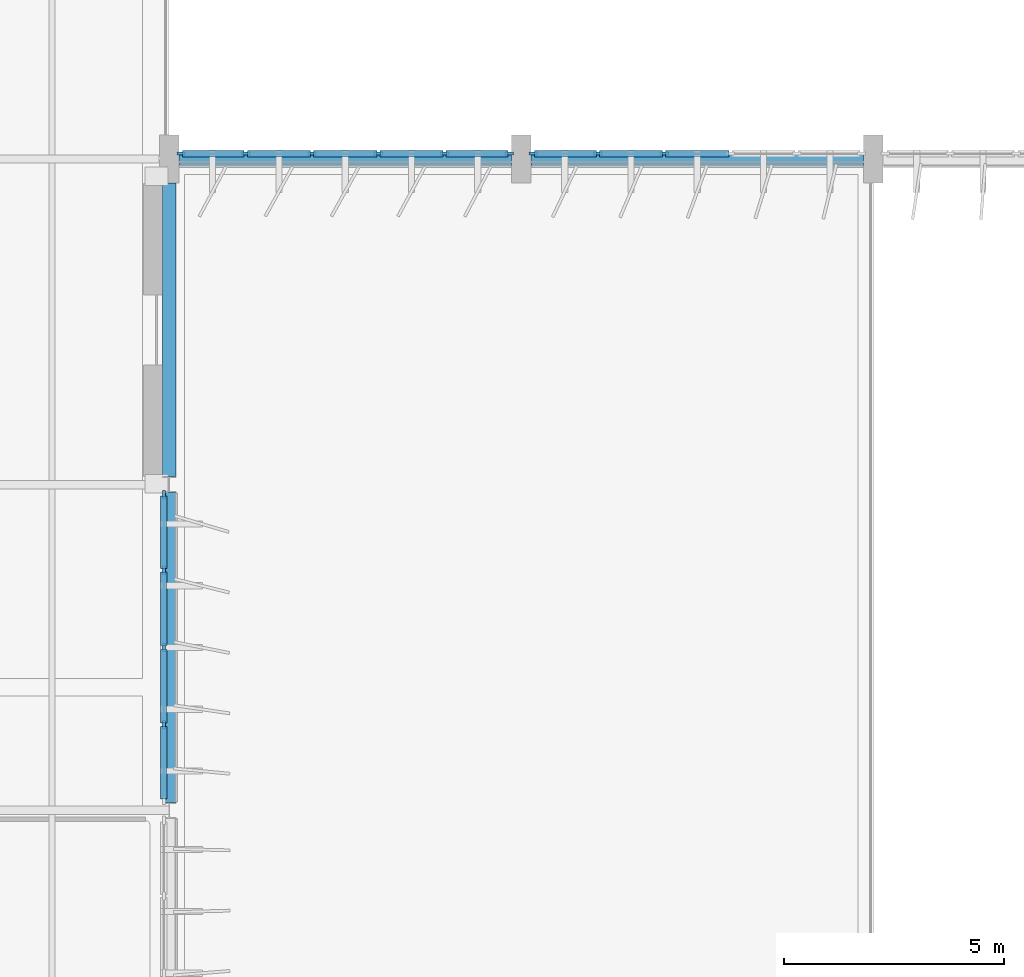
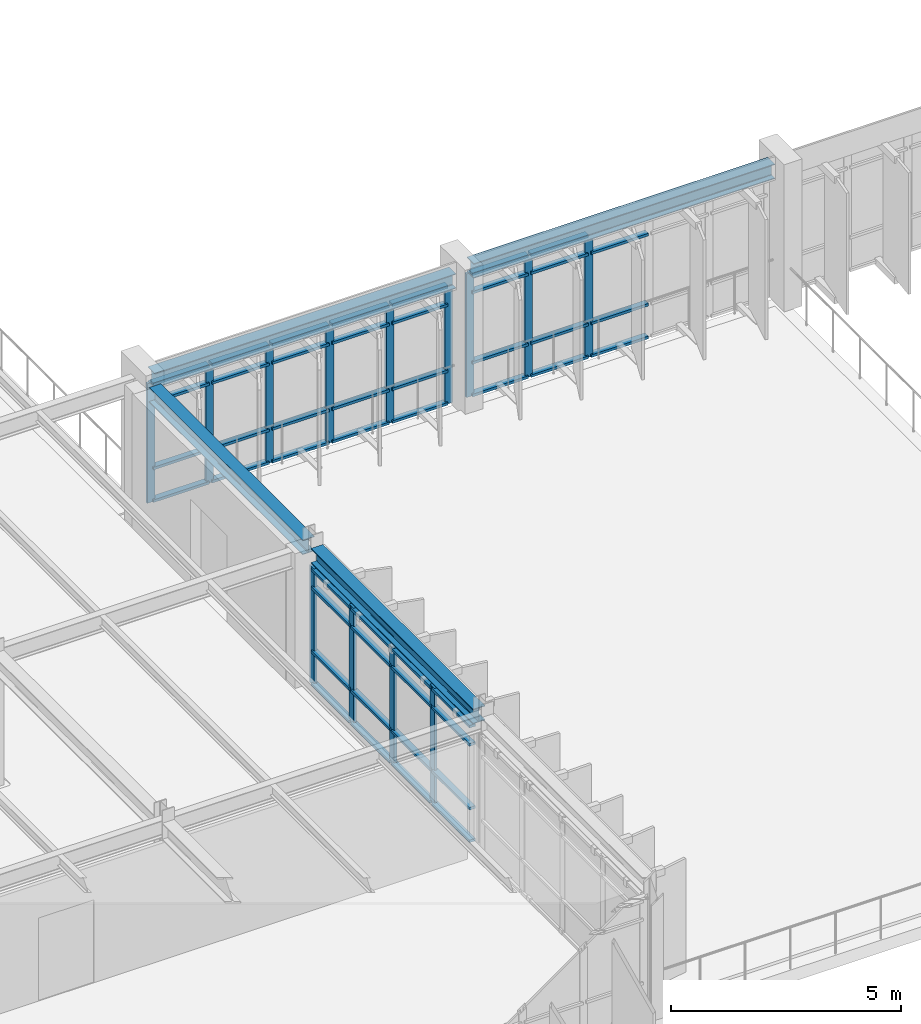
# One storey, part 18 of 45: 60 members, 4 beams, 3 elements without a shape of their own.
"""IFC4 building model written with IfcOpenShell, lengths in metres."""

import ifcopenshell
import ifcopenshell.guid

model = None  # the IFC model being written
_history = None  # IfcOwnerHistory: only IFC2X3 demands one
_inside = {}  # id of a spatial element -> (the spatial element, [elements in it])
_under = {}  # id of a project, library or spatial element -> (it, [spatial elements below it])
_declared = {}  # id of a project -> (the project, [libraries it declares])
_typed = {}  # id of a type object -> (the type object, [elements of that type])
_made_of = {}  # id of a material, layer set ... -> (it, [elements and type objects made of it])


def new_model(schema):
    """Start an empty IFC model of exactly this schema.

    Asked for "IFC4X3", IfcOpenShell would pick the latest addendum, in which some entities
    have other attributes; the version numbers below select the first issue.
    IFC2X3 requires an IfcOwnerHistory on every rooted entity: one is made here for all.
    """
    global model, _history
    if schema == "IFC4X3":
        model = ifcopenshell.file(schema_version=(4, 3, 0, 0))
    else:
        model = ifcopenshell.file(schema=schema)
    _inside.clear()
    _under.clear()
    _declared.clear()
    _typed.clear()
    _made_of.clear()
    _history = None
    if model.schema == "IFC2X3":
        org = make("IfcOrganization", Name="unknown")
        user = make(
            "IfcPersonAndOrganization",
            ThePerson=make("IfcPerson", FamilyName="unknown"),
            TheOrganization=org,
        )
        app = make(
            "IfcApplication",
            ApplicationDeveloper=org,
            Version="unknown",
            ApplicationFullName="unknown",
            ApplicationIdentifier="unknown",
        )
        _history = make(
            "IfcOwnerHistory",
            OwningUser=user,
            OwningApplication=app,
            ChangeAction="ADDED",
            CreationDate=0,
        )
    return model


def make(cls, **values):
    """One entity of the class cls with the attributes given. An attribute that is None is left unset."""
    return model.create_entity(
        cls, **{name: value for name, value in values.items() if value is not None}
    )


def rooted(cls, **values):
    """An entity with a GlobalId (a new one), such as an element, a storey or a relation."""
    return make(cls, GlobalId=ifcopenshell.guid.new(), OwnerHistory=_history, **values)


def si_unit(unit_type, name, prefix=None):
    """IfcSIUnit, for example si_unit("LENGTHUNIT", "METRE", prefix="MILLI")."""
    return make("IfcSIUnit", UnitType=unit_type, Prefix=prefix, Name=name)


def assignment(units):
    """IfcUnitAssignment: the units of a project."""
    return None if units is None else make("IfcUnitAssignment", Units=units)


def point(xyz):
    """IfcCartesianPoint."""
    return None if xyz is None else make("IfcCartesianPoint", Coordinates=xyz)


def direction(xyz):
    """IfcDirection."""
    return None if xyz is None else make("IfcDirection", DirectionRatios=xyz)


def frame(location, z_axis=None, x_axis=None):
    """IfcAxis2Placement3D, a coordinate frame: its origin and axes. An axis left out is left unset."""
    return make(
        "IfcAxis2Placement3D",
        Location=point(location),
        Axis=direction(z_axis),
        RefDirection=direction(x_axis),
    )


def frame_2d(location, x_axis=None):
    """IfcAxis2Placement2D, a coordinate frame in the plane: its origin and x axis."""
    return make(
        "IfcAxis2Placement2D", Location=point(location), RefDirection=direction(x_axis)
    )


def origin():
    """The frame at (0, 0, 0) with its axes left unset."""
    return frame((0.0, 0.0, 0.0))


def origin_2d():
    """The frame at (0, 0) in the plane with its x axis left unset."""
    return frame_2d((0.0, 0.0))


def place(relative_to, where):
    """IfcLocalPlacement: puts the frame where relative to a parent placement (None: the world)."""
    return make(
        "IfcLocalPlacement", PlacementRelTo=relative_to, RelativePlacement=where
    )


def context(
    kind, dimensions, precision=None, world=None, true_north=None, identifier=None
):
    """IfcGeometricRepresentationContext, for example the 3D "Model" context."""
    return make(
        "IfcGeometricRepresentationContext",
        ContextIdentifier=identifier,
        ContextType=kind,
        CoordinateSpaceDimension=dimensions,
        Precision=precision,
        WorldCoordinateSystem=world,
        TrueNorth=true_north,
    )


def subcontext(parent, identifier, kind, view, scale=None):
    """IfcGeometricRepresentationSubContext, for example "Body" below "Model"."""
    return make(
        "IfcGeometricRepresentationSubContext",
        ContextIdentifier=identifier,
        ContextType=kind,
        ParentContext=parent,
        TargetScale=scale,
        TargetView=view,
    )


def project(units=None, contexts=None):
    """IfcProject with its units and contexts."""
    return rooted(
        "IfcProject",
        Name="project",
        RepresentationContexts=contexts,
        UnitsInContext=assignment(units),
    )


def spatial(cls, under=None, at=None, **own):
    """A site, building, storey or space (cls), placed at a placement, below another one or the project."""
    s = rooted(cls, ObjectPlacement=at, **own)
    if under is not None:
        _under.setdefault(under.id(), (under, []))[1].append(s)
    return s


def profile(cls, at=None, kind="AREA", **sizes):
    """A parametric profile (cls). Its sizes go by their IFC names, for example OverallWidth=200.0."""
    return make(cls, ProfileType=kind, Position=at, **sizes)


def rectangle(**sizes):
    """IfcRectangleProfileDef."""
    return profile("IfcRectangleProfileDef", **sizes)


def i_section(**sizes):
    """IfcIShapeProfileDef."""
    return profile("IfcIShapeProfileDef", **sizes)


def extrude(swept, where, along, depth):
    """IfcExtrudedAreaSolid: the profile swept, set in the frame where, extruded along a direction by depth."""
    return make(
        "IfcExtrudedAreaSolid",
        SweptArea=swept,
        Position=where,
        ExtrudedDirection=direction(along),
        Depth=depth,
    )


def shape(context_of_items, identifier, shape_type, items):
    """IfcShapeRepresentation: the items that make up one representation, for example the "Body"."""
    return make(
        "IfcShapeRepresentation",
        ContextOfItems=context_of_items,
        RepresentationIdentifier=identifier,
        RepresentationType=shape_type,
        Items=items,
    )


def material(Name=None, Category=None):
    """IfcMaterial."""
    return make("IfcMaterial", Name=Name, Category=Category)


def layer(
    of_material, thickness, ventilated=None, Name=None, Category=None, Priority=None
):
    """IfcMaterialLayer: one layer of a wall or slab, of a material (None: an air gap)."""
    return make(
        "IfcMaterialLayer",
        Material=of_material,
        LayerThickness=thickness,
        IsVentilated=ventilated,
        Name=Name,
        Category=Category,
        Priority=Priority,
    )


def layer_set(layers, Name=None):
    """IfcMaterialLayerSet."""
    return make("IfcMaterialLayerSet", MaterialLayers=layers, LayerSetName=Name)


def material_profile(
    of_material, cross_section, Name=None, Category=None, Priority=None
):
    """IfcMaterialProfile: a cross section and its material."""
    return make(
        "IfcMaterialProfile",
        Name=Name,
        Material=of_material,
        Profile=cross_section,
        Priority=Priority,
        Category=Category,
    )


def profile_set(profiles, Name=None, composite=None):
    """IfcMaterialProfileSet."""
    return make(
        "IfcMaterialProfileSet",
        Name=Name,
        MaterialProfiles=profiles,
        CompositeProfile=composite,
    )


def made_of(thing, what):
    """Note that an element or type object is made of a material, layer set ...; save() writes the relation."""
    if what is not None:
        _made_of.setdefault(what.id(), (what, []))[1].append(thing)
    return thing


def type_object(cls, material=None, **own):
    """A type object (cls), such as IfcWallType, which elements share."""
    return made_of(rooted(cls, **own), material)


def element(
    cls,
    number,
    at=None,
    inside=None,
    cuts=None,
    type_object=None,
    material=None,
    context=None,
    identifier="Body",
    shape_type=None,
    held_by="IfcProductDefinitionShape",
    body=None,
    shapes=None,
    **own,
):
    """One element of the class cls, such as IfcWall. Its Tag is "e" and its number.

    at: its placement. inside: the storey or other place that contains it. cuts: it is an
    opening in that element (IfcRelVoidsElement). A single representation is given by context,
    identifier, shape_type and body (its items); several are given by shapes. held_by: the class
    of the entity that holds the representations. save() writes the other relations.
    """
    e = rooted(cls, Tag="e%d" % number, ObjectPlacement=at, **own)
    if body is not None:
        shapes = [shape(context, identifier, shape_type, body)]
    if shapes is not None:
        e.Representation = make(held_by, Representations=shapes)
    if inside is not None:
        _inside.setdefault(inside.id(), (inside, []))[1].append(e)
    if cuts is not None:
        rooted(
            "IfcRelVoidsElement", RelatingBuildingElement=cuts, RelatedOpeningElement=e
        )
    if type_object is not None:
        _typed.setdefault(type_object.id(), (type_object, []))[1].append(e)
    return made_of(e, material)


def aggregate(whole, parts):
    """IfcRelAggregates: a whole, such as a stair, and the parts it consists of."""
    return rooted("IfcRelAggregates", RelatingObject=whole, RelatedObjects=parts)


def save(model, path):
    """Write the relations noted so far, then the file.

    IfcRelAggregates (storeys below a building ...), IfcRelContainedInSpatialStructure (elements
    in a storey), IfcRelDefinesByType, IfcRelAssociatesMaterial and IfcRelDeclares: one each for
    every whole, place, type object, material and project.
    """
    for whole, parts in _under.values():
        aggregate(whole, parts)
    for where, things in _inside.values():
        rooted(
            "IfcRelContainedInSpatialStructure",
            RelatedElements=things,
            RelatingStructure=where,
        )
    for kind, things in _typed.values():
        rooted("IfcRelDefinesByType", RelatedObjects=things, RelatingType=kind)
    for what, things in _made_of.values():
        rooted("IfcRelAssociatesMaterial", RelatedObjects=things, RelatingMaterial=what)
    for by, libraries in _declared.values():
        rooted("IfcRelDeclares", RelatingContext=by, RelatedDefinitions=libraries)
    model.write(path)


model = new_model("IFC4")

# Units and contexts
model_context = context("Model", 3, precision=1e-05, world=origin(), true_north=direction((0.0, 1.0)))
body_context = subcontext(model_context, "Body", "Model", "MODEL_VIEW")
ifc_project = project(units=[si_unit("LENGTHUNIT", "METRE"), si_unit("AREAUNIT", "SQUARE_METRE"), si_unit("VOLUMEUNIT", "CUBIC_METRE"), si_unit("PLANEANGLEUNIT", "RADIAN"), si_unit("MASSUNIT", "GRAM", prefix="KILO")], contexts=[model_context])

# Site, building, storey
site_placement = place(None, origin())
site = spatial("IfcSite", under=ifc_project, at=site_placement, CompositionType="ELEMENT")
building_placement = place(site_placement, origin())
building = spatial("IfcBuilding", under=site, at=building_placement, Name="Valkorina Park Police Headquarters", CompositionType="ELEMENT")
storey_placement = place(building_placement, frame((0.0, 0.0, 23.300048828125)))
storey = spatial("IfcBuildingStorey", under=building, at=storey_placement, Name="L06", CompositionType="ELEMENT", Elevation=23.300048828125)

# Beams
ifc_material_1 = material(Name="Steel S355", Category="steel")
ifc_material_profile_1 = material_profile(ifc_material_1, i_section(OverallWidth=0.300048828125, OverallDepth=0.389892578125, WebThickness=0.010986328125, FlangeThickness=0.01904296875, FilletRadius=0.027099609375, at=origin_2d()), Name="HEA 400")
ifc_profile_set_1 = profile_set([ifc_material_profile_1], Name="Steel S355")
beam_type = type_object("IfcBeamType", Name="BM-S355-HEA400-SPN", PredefinedType="SPANDREL", material=ifc_profile_set_1)
for number, where, z_axis, x_axis, name in (
    (1, (97.02490234375, 59.199951171875, 3.375), (1.0, 0.0, 0.0), (0.0, 1.0, 0.0), "L06 Framing Beam 2641"),
    (2, (105.02490234375, 59.199951171875, 3.48486328125), (1.0, 0.0, 0.0), (0.0, 1.0, 0.0), "L06 Framing Beam 2642"),
):
    element("IfcBeam", number, at=place(storey_placement, frame(where, z_axis=z_axis, x_axis=x_axis)), inside=storey, type_object=beam_type, Name=name, PredefinedType="SPANDREL", context=body_context, shape_type="SweptSolid", body=[
        extrude(i_section(OverallWidth=0.300048828125, OverallDepth=0.389892578125, WebThickness=0.010986328125, FlangeThickness=0.01904296875, FilletRadius=0.027099609375, at=origin_2d()), origin(), (0.0, 0.0, 1.0), 7.550048828125),
    ])
beam_1_placement = place(storey_placement, frame((96.800048828125, 44.580078125, 3.375), z_axis=(0.0, 1.0, 0.0), x_axis=(-1.0, 0.0, 0.0)))
element("IfcBeam", 3, at=beam_1_placement, inside=storey, type_object=beam_type, Name="L06 Framing Beam 2722", PredefinedType="SPANDREL", context=body_context, shape_type="SweptSolid", body=[
    extrude(i_section(OverallWidth=0.300048828125, OverallDepth=0.389892578125, WebThickness=0.010986328125, FlangeThickness=0.01904296875, FilletRadius=0.027099609375, at=origin_2d()), origin(), (0.0, 0.0, 1.0), 7.0400390625),
])
beam_2_placement = place(storey_placement, frame((96.800048828125, 51.97998046875, 3.375), z_axis=(0.0, 1.0, 0.0), x_axis=(-1.0, 0.0, 0.0)))
element("IfcBeam", 4, at=beam_2_placement, inside=storey, type_object=beam_type, Name="L06 Framing Beam 2723", PredefinedType="SPANDREL", context=body_context, shape_type="SweptSolid", body=[
    extrude(i_section(OverallWidth=0.300048828125, OverallDepth=0.389892578125, WebThickness=0.010986328125, FlangeThickness=0.01904296875, FilletRadius=0.027099609375, at=origin_2d()), origin(), (0.0, 0.0, 1.0), 6.669921875),
])

# Curtain wall, members
ifc_material_2 = material(Name="Thermally broken aluminium AW-6060", Category="aluminium")
ifc_layer_1 = layer(ifc_material_2, 0.18994140625)
ifc_layer_set_1 = layer_set([ifc_layer_1], Name="Thermally broken aluminium AW-6060")
curtain_wall_type_1 = type_object("IfcCurtainWallType", Name="CW-V5-7530x3280", PredefinedType="NOTDEFINED", material=ifc_layer_set_1)
curtain_wall_1_placement = place(storey_placement, origin())
curtain_wall_1 = element("IfcCurtainWall", 5, at=curtain_wall_1_placement, inside=storey, type_object=curtain_wall_type_1, Name="L06 Unitised Curtain Wall 117", PredefinedType="NOTDEFINED")
ifc_material_profile_2 = material_profile(ifc_material_2, rectangle(XDim=0.070068359375, YDim=0.18994140625, at=origin_2d()), Name="CWM-02 70x190")
ifc_profile_set_2 = profile_set([ifc_material_profile_2], Name="Thermally broken aluminium AW-6060")
member_type_1 = type_object("IfcMemberType", Name="CWM-70x190", PredefinedType="MULLION", material=ifc_profile_set_2)
member_1_placement = place(storey_placement, frame((108.047119140625, 59.320068359375, 0.0), z_axis=(0.0, 0.0, 1.0), x_axis=(0.0, -1.0, 0.0)))
member_1 = element("IfcMember", 6, at=member_1_placement, type_object=member_type_1, Name="CW-V5-753-328 mullion 4", PredefinedType="MULLION", context=body_context, shape_type="SweptSolid", body=[
    extrude(rectangle(XDim=0.070068359375, YDim=0.18994140625, at=origin_2d()), origin(), (0.0, 0.0, 1.0), 3.280029296875),
])
member_2_placement = place(storey_placement, frame((106.541015625, 59.320068359375, 0.0), z_axis=(0.0, 0.0, 1.0), x_axis=(0.0, -1.0, 0.0)))
member_2 = element("IfcMember", 7, at=member_2_placement, type_object=member_type_1, Name="CW-V5-753-328 mullion 5", PredefinedType="MULLION", context=body_context, shape_type="SweptSolid", body=[
    extrude(rectangle(XDim=0.070068359375, YDim=0.18994140625, at=origin_2d()), origin(), (0.0, 0.0, 1.0), 3.280029296875),
])
member_3_placement = place(storey_placement, frame((105.070068359375, 59.320068359375, 0.0), z_axis=(0.0, 0.0, 1.0), x_axis=(0.0, -1.0, 0.0)))
member_3 = element("IfcMember", 8, at=member_3_placement, type_object=member_type_1, Name="CW-V5-753-328 mullion 6", PredefinedType="MULLION", context=body_context, shape_type="SweptSolid", body=[
    extrude(rectangle(XDim=0.070068359375, YDim=0.18994140625, at=origin_2d()), origin(), (0.0, 0.0, 1.0), 3.280029296875),
])

ifc_layer_2 = layer(ifc_material_2, 0.18994140625)
ifc_layer_set_2 = layer_set([ifc_layer_2], Name="Thermally broken aluminium AW-6060")
curtain_wall_type_2 = type_object("IfcCurtainWallType", Name="CW-V5-7530x3170", PredefinedType="NOTDEFINED", material=ifc_layer_set_2)
curtain_wall_2_placement = place(storey_placement, origin())
curtain_wall_2 = element("IfcCurtainWall", 9, at=curtain_wall_2_placement, inside=storey, type_object=curtain_wall_type_2, Name="L06 Unitised Curtain Wall 118", PredefinedType="NOTDEFINED")
member_4_placement = place(storey_placement, frame((104.530029296875, 59.320068359375, 0.0), z_axis=(0.0, 0.0, 1.0), x_axis=(0.0, -1.0, 0.0)))
member_4 = element("IfcMember", 10, at=member_4_placement, type_object=member_type_1, Name="CW-V5-753-317 mullion 1", PredefinedType="MULLION", context=body_context, shape_type="SweptSolid", body=[
    extrude(rectangle(XDim=0.070068359375, YDim=0.18994140625, at=origin_2d()), origin(), (0.0, 0.0, 1.0), 3.169921875),
])
member_5_placement = place(storey_placement, frame((103.05908203125, 59.320068359375, 0.0), z_axis=(0.0, 0.0, 1.0), x_axis=(0.0, -1.0, 0.0)))
member_5 = element("IfcMember", 11, at=member_5_placement, type_object=member_type_1, Name="CW-V5-753-317 mullion 2", PredefinedType="MULLION", context=body_context, shape_type="SweptSolid", body=[
    extrude(rectangle(XDim=0.070068359375, YDim=0.18994140625, at=origin_2d()), origin(), (0.0, 0.0, 1.0), 3.169921875),
])
member_6_placement = place(storey_placement, frame((101.552978515625, 59.320068359375, 0.0), z_axis=(0.0, 0.0, 1.0), x_axis=(0.0, -1.0, 0.0)))
member_6 = element("IfcMember", 12, at=member_6_placement, type_object=member_type_1, Name="CW-V5-753-317 mullion 3", PredefinedType="MULLION", context=body_context, shape_type="SweptSolid", body=[
    extrude(rectangle(XDim=0.070068359375, YDim=0.18994140625, at=origin_2d()), origin(), (0.0, 0.0, 1.0), 3.169921875),
])
member_7_placement = place(storey_placement, frame((100.047119140625, 59.320068359375, 0.0), z_axis=(0.0, 0.0, 1.0), x_axis=(0.0, -1.0, 0.0)))
member_7 = element("IfcMember", 13, at=member_7_placement, type_object=member_type_1, Name="CW-V5-753-317 mullion 4", PredefinedType="MULLION", context=body_context, shape_type="SweptSolid", body=[
    extrude(rectangle(XDim=0.070068359375, YDim=0.18994140625, at=origin_2d()), origin(), (0.0, 0.0, 1.0), 3.169921875),
])
member_8_placement = place(storey_placement, frame((98.541015625, 59.320068359375, 0.0), z_axis=(0.0, 0.0, 1.0), x_axis=(0.0, -1.0, 0.0)))
member_8 = element("IfcMember", 14, at=member_8_placement, type_object=member_type_1, Name="CW-V5-753-317 mullion 5", PredefinedType="MULLION", context=body_context, shape_type="SweptSolid", body=[
    extrude(rectangle(XDim=0.070068359375, YDim=0.18994140625, at=origin_2d()), origin(), (0.0, 0.0, 1.0), 3.169921875),
])
member_9_placement = place(storey_placement, frame((97.070068359375, 59.320068359375, 0.0), z_axis=(0.0, 0.0, 1.0), x_axis=(0.0, -1.0, 0.0)))
member_9 = element("IfcMember", 15, at=member_9_placement, type_object=member_type_1, Name="CW-V5-753-317 mullion 6", PredefinedType="MULLION", context=body_context, shape_type="SweptSolid", body=[
    extrude(rectangle(XDim=0.070068359375, YDim=0.18994140625, at=origin_2d()), origin(), (0.0, 0.0, 1.0), 3.169921875),
])

ifc_layer_3 = layer(ifc_material_2, 0.18994140625)
ifc_layer_set_3 = layer_set([ifc_layer_3], Name="Thermally broken aluminium AW-6060")
curtain_wall_type_3 = type_object("IfcCurtainWallType", Name="CW-V5-7020x3110", PredefinedType="NOTDEFINED", material=ifc_layer_set_3)
curtain_wall_3_placement = place(storey_placement, origin())
curtain_wall_3 = element("IfcCurtainWall", 16, at=curtain_wall_3_placement, inside=storey, type_object=curtain_wall_type_3, Name="L06 Unitised Curtain Wall 119", PredefinedType="NOTDEFINED")
member_10_placement = place(storey_placement, frame((96.679931640625, 51.574951171875, 0.0), z_axis=(0.0, 0.0, 1.0), x_axis=(1.0, 0.0, 0.0)))
member_10 = element("IfcMember", 17, at=member_10_placement, type_object=member_type_1, Name="CW-V5-702-311 mullion 1", PredefinedType="MULLION", context=body_context, shape_type="SweptSolid", body=[
    extrude(rectangle(XDim=0.070068359375, YDim=0.18994140625, at=origin_2d()), origin(), (0.0, 0.0, 1.0), 3.10986328125),
])
member_11_placement = place(storey_placement, frame((96.679931640625, 49.85498046875, 0.0), z_axis=(0.0, 0.0, 1.0), x_axis=(1.0, 0.0, 0.0)))
member_11 = element("IfcMember", 18, at=member_11_placement, type_object=member_type_1, Name="CW-V5-702-311 mullion 2", PredefinedType="MULLION", context=body_context, shape_type="SweptSolid", body=[
    extrude(rectangle(XDim=0.070068359375, YDim=0.18994140625, at=origin_2d()), origin(), (0.0, 0.0, 1.0), 3.10986328125),
])
member_12_placement = place(storey_placement, frame((96.679931640625, 48.10009765625, 0.0), z_axis=(0.0, 0.0, 1.0), x_axis=(1.0, 0.0, 0.0)))
member_12 = element("IfcMember", 19, at=member_12_placement, type_object=member_type_1, Name="CW-V5-702-311 mullion 3", PredefinedType="MULLION", context=body_context, shape_type="SweptSolid", body=[
    extrude(rectangle(XDim=0.070068359375, YDim=0.18994140625, at=origin_2d()), origin(), (0.0, 0.0, 1.0), 3.10986328125),
])
member_13_placement = place(storey_placement, frame((96.679931640625, 46.344970703125, 0.0), z_axis=(0.0, 0.0, 1.0), x_axis=(1.0, 0.0, 0.0)))
member_13 = element("IfcMember", 20, at=member_13_placement, type_object=member_type_1, Name="CW-V5-702-311 mullion 4", PredefinedType="MULLION", context=body_context, shape_type="SweptSolid", body=[
    extrude(rectangle(XDim=0.070068359375, YDim=0.18994140625, at=origin_2d()), origin(), (0.0, 0.0, 1.0), 3.10986328125),
])

# Member
ifc_material_profile_3 = material_profile(ifc_material_2, rectangle(XDim=0.14990234375, YDim=0.070068359375, at=origin_2d()), Name="CWT-02 150x70")
ifc_profile_set_3 = profile_set([ifc_material_profile_3], Name="Thermally broken aluminium AW-6060")
member_type_2 = type_object("IfcMemberType", Name="CWT-150x70", PredefinedType="USERDEFINED", material=ifc_profile_set_3)
member_14_placement = place(storey_placement, frame((109.51806640625, 59.320068359375, 0.034912109375), z_axis=(-1.0, 0.0, 0.0), x_axis=(0.0, -1.0, 0.0)))
member_14 = element("IfcMember", 21, at=member_14_placement, type_object=member_type_2, Name="CW-V5-753-328 transom 3.1", ObjectType="TRANSOM", PredefinedType="USERDEFINED", context=body_context, shape_type="SweptSolid", body=[
    extrude(rectangle(XDim=0.14990234375, YDim=0.070068359375, at=origin_2d()), origin(), (0.0, 0.0, 1.0), 1.43603515625),
])

member_15_placement = place(storey_placement, frame((109.51806640625, 59.320068359375, 0.89990234375), z_axis=(-1.0, 0.0, 0.0), x_axis=(0.0, -1.0, 0.0)))
member_15 = element("IfcMember", 22, at=member_15_placement, type_object=member_type_2, Name="CW-V5-753-328 transom 3.2", ObjectType="TRANSOM", PredefinedType="USERDEFINED", context=body_context, shape_type="SweptSolid", body=[
    extrude(rectangle(XDim=0.14990234375, YDim=0.070068359375, at=origin_2d()), origin(), (0.0, 0.0, 1.0), 1.43603515625),
])

member_16_placement = place(storey_placement, frame((109.51806640625, 59.320068359375, 2.760009765625), z_axis=(-1.0, 0.0, 0.0), x_axis=(0.0, -1.0, 0.0)))
member_16 = element("IfcMember", 23, at=member_16_placement, type_object=member_type_2, Name="CW-V5-753-328 transom 3.3", ObjectType="TRANSOM", PredefinedType="USERDEFINED", context=body_context, shape_type="SweptSolid", body=[
    extrude(rectangle(XDim=0.14990234375, YDim=0.070068359375, at=origin_2d()), origin(), (0.0, 0.0, 1.0), 1.43603515625),
])

member_17_placement = place(storey_placement, frame((108.011962890625, 59.320068359375, 0.034912109375), z_axis=(-1.0, 0.0, 0.0), x_axis=(0.0, -1.0, 0.0)))
member_17 = element("IfcMember", 24, at=member_17_placement, type_object=member_type_2, Name="CW-V5-753-328 transom 4.1", ObjectType="TRANSOM", PredefinedType="USERDEFINED", context=body_context, shape_type="SweptSolid", body=[
    extrude(rectangle(XDim=0.14990234375, YDim=0.070068359375, at=origin_2d()), origin(), (0.0, 0.0, 1.0), 1.43603515625),
])

member_18_placement = place(storey_placement, frame((108.011962890625, 59.320068359375, 0.89990234375), z_axis=(-1.0, 0.0, 0.0), x_axis=(0.0, -1.0, 0.0)))
member_18 = element("IfcMember", 25, at=member_18_placement, type_object=member_type_2, Name="CW-V5-753-328 transom 4.2", ObjectType="TRANSOM", PredefinedType="USERDEFINED", context=body_context, shape_type="SweptSolid", body=[
    extrude(rectangle(XDim=0.14990234375, YDim=0.070068359375, at=origin_2d()), origin(), (0.0, 0.0, 1.0), 1.43603515625),
])

member_19_placement = place(storey_placement, frame((108.011962890625, 59.320068359375, 2.760009765625), z_axis=(-1.0, 0.0, 0.0), x_axis=(0.0, -1.0, 0.0)))
member_19 = element("IfcMember", 26, at=member_19_placement, type_object=member_type_2, Name="CW-V5-753-328 transom 4.3", ObjectType="TRANSOM", PredefinedType="USERDEFINED", context=body_context, shape_type="SweptSolid", body=[
    extrude(rectangle(XDim=0.14990234375, YDim=0.070068359375, at=origin_2d()), origin(), (0.0, 0.0, 1.0), 1.43603515625),
])

member_20_placement = place(storey_placement, frame((108.011962890625, 59.320068359375, 3.244873046875), z_axis=(-1.0, 0.0, 0.0), x_axis=(0.0, -1.0, 0.0)))
member_20 = element("IfcMember", 27, at=member_20_placement, type_object=member_type_2, Name="CW-V5-753-328 transom 4.4", ObjectType="TRANSOM", PredefinedType="USERDEFINED", context=body_context, shape_type="SweptSolid", body=[
    extrude(rectangle(XDim=0.14990234375, YDim=0.070068359375, at=origin_2d()), origin(), (0.0, 0.0, 1.0), 1.43603515625),
])

member_21_placement = place(storey_placement, frame((106.506103515625, 59.320068359375, 0.034912109375), z_axis=(-1.0, 0.0, 0.0), x_axis=(0.0, -1.0, 0.0)))
member_21 = element("IfcMember", 28, at=member_21_placement, type_object=member_type_2, Name="CW-V5-753-328 transom 5.1", ObjectType="TRANSOM", PredefinedType="USERDEFINED", context=body_context, shape_type="SweptSolid", body=[
    extrude(rectangle(XDim=0.14990234375, YDim=0.070068359375, at=origin_2d()), origin(), (0.0, 0.0, 1.0), 1.401123046875),
])

member_22_placement = place(storey_placement, frame((106.506103515625, 59.320068359375, 0.89990234375), z_axis=(-1.0, 0.0, 0.0), x_axis=(0.0, -1.0, 0.0)))
member_22 = element("IfcMember", 29, at=member_22_placement, type_object=member_type_2, Name="CW-V5-753-328 transom 5.2", ObjectType="TRANSOM", PredefinedType="USERDEFINED", context=body_context, shape_type="SweptSolid", body=[
    extrude(rectangle(XDim=0.14990234375, YDim=0.070068359375, at=origin_2d()), origin(), (0.0, 0.0, 1.0), 1.401123046875),
])

member_23_placement = place(storey_placement, frame((106.506103515625, 59.320068359375, 2.760009765625), z_axis=(-1.0, 0.0, 0.0), x_axis=(0.0, -1.0, 0.0)))
member_23 = element("IfcMember", 30, at=member_23_placement, type_object=member_type_2, Name="CW-V5-753-328 transom 5.3", ObjectType="TRANSOM", PredefinedType="USERDEFINED", context=body_context, shape_type="SweptSolid", body=[
    extrude(rectangle(XDim=0.14990234375, YDim=0.070068359375, at=origin_2d()), origin(), (0.0, 0.0, 1.0), 1.401123046875),
])

member_24_placement = place(storey_placement, frame((106.506103515625, 59.320068359375, 3.244873046875), z_axis=(-1.0, 0.0, 0.0), x_axis=(0.0, -1.0, 0.0)))
member_24 = element("IfcMember", 31, at=member_24_placement, type_object=member_type_2, Name="CW-V5-753-328 transom 5.4", ObjectType="TRANSOM", PredefinedType="USERDEFINED", context=body_context, shape_type="SweptSolid", body=[
    extrude(rectangle(XDim=0.14990234375, YDim=0.070068359375, at=origin_2d()), origin(), (0.0, 0.0, 1.0), 1.401123046875),
])

aggregate(curtain_wall_1, [member_1, member_2, member_3, member_14, member_15, member_16, member_17, member_18, member_19, member_20, member_21, member_22, member_23, member_24])

member_25_placement = place(storey_placement, frame((104.4951171875, 59.320068359375, 0.034912109375), z_axis=(-1.0, 0.0, 0.0), x_axis=(0.0, -1.0, 0.0)))
member_25 = element("IfcMember", 32, at=member_25_placement, type_object=member_type_2, Name="CW-V5-753-317 transom 1.1", ObjectType="TRANSOM", PredefinedType="USERDEFINED", context=body_context, shape_type="SweptSolid", body=[
    extrude(rectangle(XDim=0.14990234375, YDim=0.070068359375, at=origin_2d()), origin(), (0.0, 0.0, 1.0), 1.401123046875),
])

member_26_placement = place(storey_placement, frame((104.4951171875, 59.320068359375, 0.89990234375), z_axis=(-1.0, 0.0, 0.0), x_axis=(0.0, -1.0, 0.0)))
member_26 = element("IfcMember", 33, at=member_26_placement, type_object=member_type_2, Name="CW-V5-753-317 transom 1.2", ObjectType="TRANSOM", PredefinedType="USERDEFINED", context=body_context, shape_type="SweptSolid", body=[
    extrude(rectangle(XDim=0.14990234375, YDim=0.070068359375, at=origin_2d()), origin(), (0.0, 0.0, 1.0), 1.401123046875),
])

member_27_placement = place(storey_placement, frame((104.4951171875, 59.320068359375, 2.64990234375), z_axis=(-1.0, 0.0, 0.0), x_axis=(0.0, -1.0, 0.0)))
member_27 = element("IfcMember", 34, at=member_27_placement, type_object=member_type_2, Name="CW-V5-753-317 transom 1.3", ObjectType="TRANSOM", PredefinedType="USERDEFINED", context=body_context, shape_type="SweptSolid", body=[
    extrude(rectangle(XDim=0.14990234375, YDim=0.070068359375, at=origin_2d()), origin(), (0.0, 0.0, 1.0), 1.401123046875),
])

member_28_placement = place(storey_placement, frame((104.4951171875, 59.320068359375, 3.135009765625), z_axis=(-1.0, 0.0, 0.0), x_axis=(0.0, -1.0, 0.0)))
member_28 = element("IfcMember", 35, at=member_28_placement, type_object=member_type_2, Name="CW-V5-753-317 transom 1.4", ObjectType="TRANSOM", PredefinedType="USERDEFINED", context=body_context, shape_type="SweptSolid", body=[
    extrude(rectangle(XDim=0.14990234375, YDim=0.070068359375, at=origin_2d()), origin(), (0.0, 0.0, 1.0), 1.401123046875),
])

member_29_placement = place(storey_placement, frame((103.02392578125, 59.320068359375, 0.034912109375), z_axis=(-1.0, 0.0, 0.0), x_axis=(0.0, -1.0, 0.0)))
member_29 = element("IfcMember", 36, at=member_29_placement, type_object=member_type_2, Name="CW-V5-753-317 transom 2.1", ObjectType="TRANSOM", PredefinedType="USERDEFINED", context=body_context, shape_type="SweptSolid", body=[
    extrude(rectangle(XDim=0.14990234375, YDim=0.070068359375, at=origin_2d()), origin(), (0.0, 0.0, 1.0), 1.43603515625),
])

member_30_placement = place(storey_placement, frame((103.02392578125, 59.320068359375, 0.89990234375), z_axis=(-1.0, 0.0, 0.0), x_axis=(0.0, -1.0, 0.0)))
member_30 = element("IfcMember", 37, at=member_30_placement, type_object=member_type_2, Name="CW-V5-753-317 transom 2.2", ObjectType="TRANSOM", PredefinedType="USERDEFINED", context=body_context, shape_type="SweptSolid", body=[
    extrude(rectangle(XDim=0.14990234375, YDim=0.070068359375, at=origin_2d()), origin(), (0.0, 0.0, 1.0), 1.43603515625),
])

member_31_placement = place(storey_placement, frame((103.02392578125, 59.320068359375, 2.64990234375), z_axis=(-1.0, 0.0, 0.0), x_axis=(0.0, -1.0, 0.0)))
member_31 = element("IfcMember", 38, at=member_31_placement, type_object=member_type_2, Name="CW-V5-753-317 transom 2.3", ObjectType="TRANSOM", PredefinedType="USERDEFINED", context=body_context, shape_type="SweptSolid", body=[
    extrude(rectangle(XDim=0.14990234375, YDim=0.070068359375, at=origin_2d()), origin(), (0.0, 0.0, 1.0), 1.43603515625),
])

member_32_placement = place(storey_placement, frame((103.02392578125, 59.320068359375, 3.135009765625), z_axis=(-1.0, 0.0, 0.0), x_axis=(0.0, -1.0, 0.0)))
member_32 = element("IfcMember", 39, at=member_32_placement, type_object=member_type_2, Name="CW-V5-753-317 transom 2.4", ObjectType="TRANSOM", PredefinedType="USERDEFINED", context=body_context, shape_type="SweptSolid", body=[
    extrude(rectangle(XDim=0.14990234375, YDim=0.070068359375, at=origin_2d()), origin(), (0.0, 0.0, 1.0), 1.43603515625),
])

member_33_placement = place(storey_placement, frame((101.51806640625, 59.320068359375, 0.034912109375), z_axis=(-1.0, 0.0, 0.0), x_axis=(0.0, -1.0, 0.0)))
member_33 = element("IfcMember", 40, at=member_33_placement, type_object=member_type_2, Name="CW-V5-753-317 transom 3.1", ObjectType="TRANSOM", PredefinedType="USERDEFINED", context=body_context, shape_type="SweptSolid", body=[
    extrude(rectangle(XDim=0.14990234375, YDim=0.070068359375, at=origin_2d()), origin(), (0.0, 0.0, 1.0), 1.43603515625),
])

member_34_placement = place(storey_placement, frame((101.51806640625, 59.320068359375, 0.89990234375), z_axis=(-1.0, 0.0, 0.0), x_axis=(0.0, -1.0, 0.0)))
member_34 = element("IfcMember", 41, at=member_34_placement, type_object=member_type_2, Name="CW-V5-753-317 transom 3.2", ObjectType="TRANSOM", PredefinedType="USERDEFINED", context=body_context, shape_type="SweptSolid", body=[
    extrude(rectangle(XDim=0.14990234375, YDim=0.070068359375, at=origin_2d()), origin(), (0.0, 0.0, 1.0), 1.43603515625),
])

member_35_placement = place(storey_placement, frame((101.51806640625, 59.320068359375, 2.64990234375), z_axis=(-1.0, 0.0, 0.0), x_axis=(0.0, -1.0, 0.0)))
member_35 = element("IfcMember", 42, at=member_35_placement, type_object=member_type_2, Name="CW-V5-753-317 transom 3.3", ObjectType="TRANSOM", PredefinedType="USERDEFINED", context=body_context, shape_type="SweptSolid", body=[
    extrude(rectangle(XDim=0.14990234375, YDim=0.070068359375, at=origin_2d()), origin(), (0.0, 0.0, 1.0), 1.43603515625),
])

member_36_placement = place(storey_placement, frame((101.51806640625, 59.320068359375, 3.135009765625), z_axis=(-1.0, 0.0, 0.0), x_axis=(0.0, -1.0, 0.0)))
member_36 = element("IfcMember", 43, at=member_36_placement, type_object=member_type_2, Name="CW-V5-753-317 transom 3.4", ObjectType="TRANSOM", PredefinedType="USERDEFINED", context=body_context, shape_type="SweptSolid", body=[
    extrude(rectangle(XDim=0.14990234375, YDim=0.070068359375, at=origin_2d()), origin(), (0.0, 0.0, 1.0), 1.43603515625),
])

member_37_placement = place(storey_placement, frame((100.011962890625, 59.320068359375, 0.034912109375), z_axis=(-1.0, 0.0, 0.0), x_axis=(0.0, -1.0, 0.0)))
member_37 = element("IfcMember", 44, at=member_37_placement, type_object=member_type_2, Name="CW-V5-753-317 transom 4.1", ObjectType="TRANSOM", PredefinedType="USERDEFINED", context=body_context, shape_type="SweptSolid", body=[
    extrude(rectangle(XDim=0.14990234375, YDim=0.070068359375, at=origin_2d()), origin(), (0.0, 0.0, 1.0), 1.43603515625),
])

member_38_placement = place(storey_placement, frame((100.011962890625, 59.320068359375, 0.89990234375), z_axis=(-1.0, 0.0, 0.0), x_axis=(0.0, -1.0, 0.0)))
member_38 = element("IfcMember", 45, at=member_38_placement, type_object=member_type_2, Name="CW-V5-753-317 transom 4.2", ObjectType="TRANSOM", PredefinedType="USERDEFINED", context=body_context, shape_type="SweptSolid", body=[
    extrude(rectangle(XDim=0.14990234375, YDim=0.070068359375, at=origin_2d()), origin(), (0.0, 0.0, 1.0), 1.43603515625),
])

member_39_placement = place(storey_placement, frame((100.011962890625, 59.320068359375, 2.64990234375), z_axis=(-1.0, 0.0, 0.0), x_axis=(0.0, -1.0, 0.0)))
member_39 = element("IfcMember", 46, at=member_39_placement, type_object=member_type_2, Name="CW-V5-753-317 transom 4.3", ObjectType="TRANSOM", PredefinedType="USERDEFINED", context=body_context, shape_type="SweptSolid", body=[
    extrude(rectangle(XDim=0.14990234375, YDim=0.070068359375, at=origin_2d()), origin(), (0.0, 0.0, 1.0), 1.43603515625),
])

member_40_placement = place(storey_placement, frame((100.011962890625, 59.320068359375, 3.135009765625), z_axis=(-1.0, 0.0, 0.0), x_axis=(0.0, -1.0, 0.0)))
member_40 = element("IfcMember", 47, at=member_40_placement, type_object=member_type_2, Name="CW-V5-753-317 transom 4.4", ObjectType="TRANSOM", PredefinedType="USERDEFINED", context=body_context, shape_type="SweptSolid", body=[
    extrude(rectangle(XDim=0.14990234375, YDim=0.070068359375, at=origin_2d()), origin(), (0.0, 0.0, 1.0), 1.43603515625),
])

member_41_placement = place(storey_placement, frame((98.506103515625, 59.320068359375, 0.034912109375), z_axis=(-1.0, 0.0, 0.0), x_axis=(0.0, -1.0, 0.0)))
member_41 = element("IfcMember", 48, at=member_41_placement, type_object=member_type_2, Name="CW-V5-753-317 transom 5.1", ObjectType="TRANSOM", PredefinedType="USERDEFINED", context=body_context, shape_type="SweptSolid", body=[
    extrude(rectangle(XDim=0.14990234375, YDim=0.070068359375, at=origin_2d()), origin(), (0.0, 0.0, 1.0), 1.401123046875),
])

member_42_placement = place(storey_placement, frame((98.506103515625, 59.320068359375, 0.89990234375), z_axis=(-1.0, 0.0, 0.0), x_axis=(0.0, -1.0, 0.0)))
member_42 = element("IfcMember", 49, at=member_42_placement, type_object=member_type_2, Name="CW-V5-753-317 transom 5.2", ObjectType="TRANSOM", PredefinedType="USERDEFINED", context=body_context, shape_type="SweptSolid", body=[
    extrude(rectangle(XDim=0.14990234375, YDim=0.070068359375, at=origin_2d()), origin(), (0.0, 0.0, 1.0), 1.401123046875),
])

member_43_placement = place(storey_placement, frame((98.506103515625, 59.320068359375, 2.64990234375), z_axis=(-1.0, 0.0, 0.0), x_axis=(0.0, -1.0, 0.0)))
member_43 = element("IfcMember", 50, at=member_43_placement, type_object=member_type_2, Name="CW-V5-753-317 transom 5.3", ObjectType="TRANSOM", PredefinedType="USERDEFINED", context=body_context, shape_type="SweptSolid", body=[
    extrude(rectangle(XDim=0.14990234375, YDim=0.070068359375, at=origin_2d()), origin(), (0.0, 0.0, 1.0), 1.401123046875),
])

member_44_placement = place(storey_placement, frame((98.506103515625, 59.320068359375, 3.135009765625), z_axis=(-1.0, 0.0, 0.0), x_axis=(0.0, -1.0, 0.0)))
member_44 = element("IfcMember", 51, at=member_44_placement, type_object=member_type_2, Name="CW-V5-753-317 transom 5.4", ObjectType="TRANSOM", PredefinedType="USERDEFINED", context=body_context, shape_type="SweptSolid", body=[
    extrude(rectangle(XDim=0.14990234375, YDim=0.070068359375, at=origin_2d()), origin(), (0.0, 0.0, 1.0), 1.401123046875),
])

aggregate(curtain_wall_2, [member_4, member_5, member_6, member_7, member_8, member_9, member_25, member_26, member_27, member_28, member_29, member_30, member_31, member_32, member_33, member_34, member_35, member_36, member_37, member_38, member_39, member_40, member_41, member_42, member_43, member_44])

member_45_placement = place(storey_placement, frame((96.679931640625, 51.5400390625, 0.034912109375), z_axis=(0.0, -1.0, 0.0), x_axis=(1.0, 0.0, 0.0)))
member_45 = element("IfcMember", 52, at=member_45_placement, type_object=member_type_2, Name="CW-V5-702-311 transom 1.1", ObjectType="TRANSOM", PredefinedType="USERDEFINED", context=body_context, shape_type="SweptSolid", body=[
    extrude(rectangle(XDim=0.14990234375, YDim=0.070068359375, at=origin_2d()), origin(), (0.0, 0.0, 1.0), 1.650146484375),
])

member_46_placement = place(storey_placement, frame((96.679931640625, 51.5400390625, 0.89990234375), z_axis=(0.0, -1.0, 0.0), x_axis=(1.0, 0.0, 0.0)))
member_46 = element("IfcMember", 53, at=member_46_placement, type_object=member_type_2, Name="CW-V5-702-311 transom 1.2", ObjectType="TRANSOM", PredefinedType="USERDEFINED", context=body_context, shape_type="SweptSolid", body=[
    extrude(rectangle(XDim=0.14990234375, YDim=0.070068359375, at=origin_2d()), origin(), (0.0, 0.0, 1.0), 1.650146484375),
])

member_47_placement = place(storey_placement, frame((96.679931640625, 51.5400390625, 2.58984375), z_axis=(0.0, -1.0, 0.0), x_axis=(1.0, 0.0, 0.0)))
member_47 = element("IfcMember", 54, at=member_47_placement, type_object=member_type_2, Name="CW-V5-702-311 transom 1.3", ObjectType="TRANSOM", PredefinedType="USERDEFINED", context=body_context, shape_type="SweptSolid", body=[
    extrude(rectangle(XDim=0.14990234375, YDim=0.070068359375, at=origin_2d()), origin(), (0.0, 0.0, 1.0), 1.650146484375),
])

member_48_placement = place(storey_placement, frame((96.679931640625, 51.5400390625, 3.074951171875), z_axis=(0.0, -1.0, 0.0), x_axis=(1.0, 0.0, 0.0)))
member_48 = element("IfcMember", 55, at=member_48_placement, type_object=member_type_2, Name="CW-V5-702-311 transom 1.4", ObjectType="TRANSOM", PredefinedType="USERDEFINED", context=body_context, shape_type="SweptSolid", body=[
    extrude(rectangle(XDim=0.14990234375, YDim=0.070068359375, at=origin_2d()), origin(), (0.0, 0.0, 1.0), 1.650146484375),
])

member_49_placement = place(storey_placement, frame((96.679931640625, 49.820068359375, 0.034912109375), z_axis=(0.0, -1.0, 0.0), x_axis=(1.0, 0.0, 0.0)))
member_49 = element("IfcMember", 56, at=member_49_placement, type_object=member_type_2, Name="CW-V5-702-311 transom 2.1", ObjectType="TRANSOM", PredefinedType="USERDEFINED", context=body_context, shape_type="SweptSolid", body=[
    extrude(rectangle(XDim=0.14990234375, YDim=0.070068359375, at=origin_2d()), origin(), (0.0, 0.0, 1.0), 1.68505859375),
])

member_50_placement = place(storey_placement, frame((96.679931640625, 49.820068359375, 0.89990234375), z_axis=(0.0, -1.0, 0.0), x_axis=(1.0, 0.0, 0.0)))
member_50 = element("IfcMember", 57, at=member_50_placement, type_object=member_type_2, Name="CW-V5-702-311 transom 2.2", ObjectType="TRANSOM", PredefinedType="USERDEFINED", context=body_context, shape_type="SweptSolid", body=[
    extrude(rectangle(XDim=0.14990234375, YDim=0.070068359375, at=origin_2d()), origin(), (0.0, 0.0, 1.0), 1.68505859375),
])

member_51_placement = place(storey_placement, frame((96.679931640625, 49.820068359375, 2.58984375), z_axis=(0.0, -1.0, 0.0), x_axis=(1.0, 0.0, 0.0)))
member_51 = element("IfcMember", 58, at=member_51_placement, type_object=member_type_2, Name="CW-V5-702-311 transom 2.3", ObjectType="TRANSOM", PredefinedType="USERDEFINED", context=body_context, shape_type="SweptSolid", body=[
    extrude(rectangle(XDim=0.14990234375, YDim=0.070068359375, at=origin_2d()), origin(), (0.0, 0.0, 1.0), 1.68505859375),
])

member_52_placement = place(storey_placement, frame((96.679931640625, 49.820068359375, 3.074951171875), z_axis=(0.0, -1.0, 0.0), x_axis=(1.0, 0.0, 0.0)))
member_52 = element("IfcMember", 59, at=member_52_placement, type_object=member_type_2, Name="CW-V5-702-311 transom 2.4", ObjectType="TRANSOM", PredefinedType="USERDEFINED", context=body_context, shape_type="SweptSolid", body=[
    extrude(rectangle(XDim=0.14990234375, YDim=0.070068359375, at=origin_2d()), origin(), (0.0, 0.0, 1.0), 1.68505859375),
])

member_53_placement = place(storey_placement, frame((96.679931640625, 48.06494140625, 0.034912109375), z_axis=(0.0, -1.0, 0.0), x_axis=(1.0, 0.0, 0.0)))
member_53 = element("IfcMember", 60, at=member_53_placement, type_object=member_type_2, Name="CW-V5-702-311 transom 3.1", ObjectType="TRANSOM", PredefinedType="USERDEFINED", context=body_context, shape_type="SweptSolid", body=[
    extrude(rectangle(XDim=0.14990234375, YDim=0.070068359375, at=origin_2d()), origin(), (0.0, 0.0, 1.0), 1.68505859375),
])

member_54_placement = place(storey_placement, frame((96.679931640625, 48.06494140625, 0.89990234375), z_axis=(0.0, -1.0, 0.0), x_axis=(1.0, 0.0, 0.0)))
member_54 = element("IfcMember", 61, at=member_54_placement, type_object=member_type_2, Name="CW-V5-702-311 transom 3.2", ObjectType="TRANSOM", PredefinedType="USERDEFINED", context=body_context, shape_type="SweptSolid", body=[
    extrude(rectangle(XDim=0.14990234375, YDim=0.070068359375, at=origin_2d()), origin(), (0.0, 0.0, 1.0), 1.68505859375),
])

member_55_placement = place(storey_placement, frame((96.679931640625, 48.06494140625, 2.58984375), z_axis=(0.0, -1.0, 0.0), x_axis=(1.0, 0.0, 0.0)))
member_55 = element("IfcMember", 62, at=member_55_placement, type_object=member_type_2, Name="CW-V5-702-311 transom 3.3", ObjectType="TRANSOM", PredefinedType="USERDEFINED", context=body_context, shape_type="SweptSolid", body=[
    extrude(rectangle(XDim=0.14990234375, YDim=0.070068359375, at=origin_2d()), origin(), (0.0, 0.0, 1.0), 1.68505859375),
])

member_56_placement = place(storey_placement, frame((96.679931640625, 48.06494140625, 3.074951171875), z_axis=(0.0, -1.0, 0.0), x_axis=(1.0, 0.0, 0.0)))
member_56 = element("IfcMember", 63, at=member_56_placement, type_object=member_type_2, Name="CW-V5-702-311 transom 3.4", ObjectType="TRANSOM", PredefinedType="USERDEFINED", context=body_context, shape_type="SweptSolid", body=[
    extrude(rectangle(XDim=0.14990234375, YDim=0.070068359375, at=origin_2d()), origin(), (0.0, 0.0, 1.0), 1.68505859375),
])

member_57_placement = place(storey_placement, frame((96.679931640625, 46.31005859375, 0.034912109375), z_axis=(0.0, -1.0, 0.0), x_axis=(1.0, 0.0, 0.0)))
member_57 = element("IfcMember", 64, at=member_57_placement, type_object=member_type_2, Name="CW-V5-702-311 transom 4.1", ObjectType="TRANSOM", PredefinedType="USERDEFINED", context=body_context, shape_type="SweptSolid", body=[
    extrude(rectangle(XDim=0.14990234375, YDim=0.070068359375, at=origin_2d()), origin(), (0.0, 0.0, 1.0), 1.650146484375),
])

member_58_placement = place(storey_placement, frame((96.679931640625, 46.31005859375, 0.89990234375), z_axis=(0.0, -1.0, 0.0), x_axis=(1.0, 0.0, 0.0)))
member_58 = element("IfcMember", 65, at=member_58_placement, type_object=member_type_2, Name="CW-V5-702-311 transom 4.2", ObjectType="TRANSOM", PredefinedType="USERDEFINED", context=body_context, shape_type="SweptSolid", body=[
    extrude(rectangle(XDim=0.14990234375, YDim=0.070068359375, at=origin_2d()), origin(), (0.0, 0.0, 1.0), 1.650146484375),
])

member_59_placement = place(storey_placement, frame((96.679931640625, 46.31005859375, 2.58984375), z_axis=(0.0, -1.0, 0.0), x_axis=(1.0, 0.0, 0.0)))
member_59 = element("IfcMember", 66, at=member_59_placement, type_object=member_type_2, Name="CW-V5-702-311 transom 4.3", ObjectType="TRANSOM", PredefinedType="USERDEFINED", context=body_context, shape_type="SweptSolid", body=[
    extrude(rectangle(XDim=0.14990234375, YDim=0.070068359375, at=origin_2d()), origin(), (0.0, 0.0, 1.0), 1.650146484375),
])

member_60_placement = place(storey_placement, frame((96.679931640625, 46.31005859375, 3.074951171875), z_axis=(0.0, -1.0, 0.0), x_axis=(1.0, 0.0, 0.0)))
member_60 = element("IfcMember", 67, at=member_60_placement, type_object=member_type_2, Name="CW-V5-702-311 transom 4.4", ObjectType="TRANSOM", PredefinedType="USERDEFINED", context=body_context, shape_type="SweptSolid", body=[
    extrude(rectangle(XDim=0.14990234375, YDim=0.070068359375, at=origin_2d()), origin(), (0.0, 0.0, 1.0), 1.650146484375),
])

aggregate(curtain_wall_3, [member_10, member_11, member_12, member_13, member_45, member_46, member_47, member_48, member_49, member_50, member_51, member_52, member_53, member_54, member_55, member_56, member_57, member_58, member_59, member_60])

save(model, "model.ifc")
